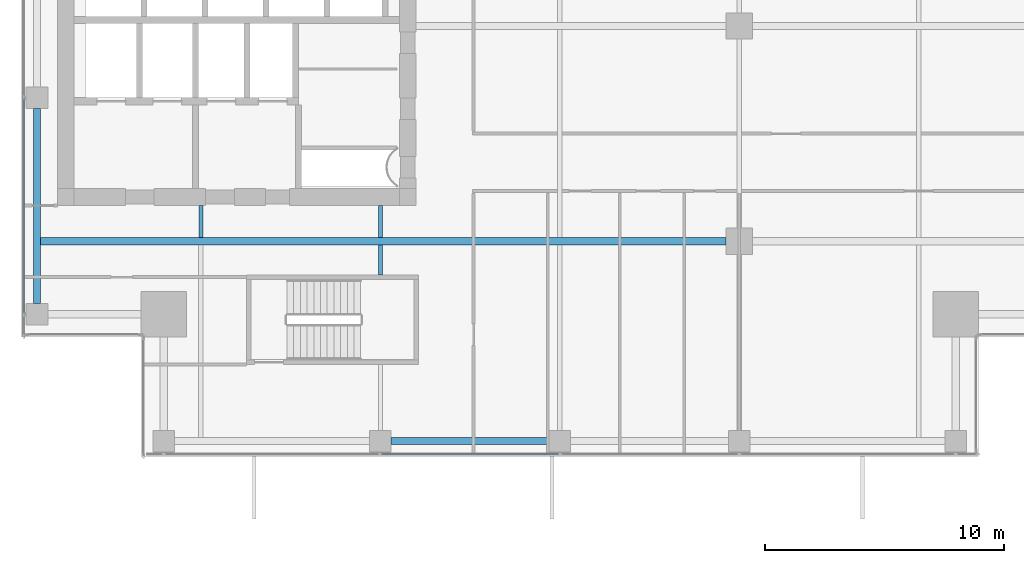
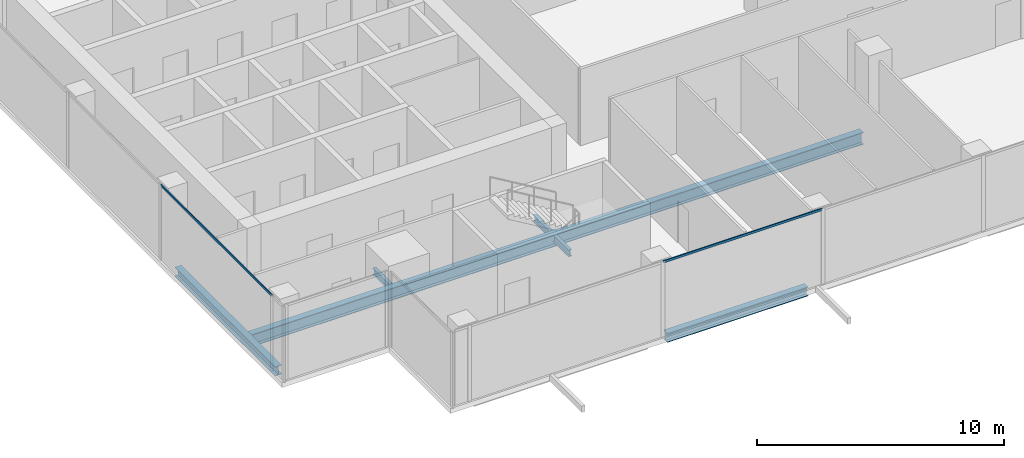
# One storey, part 4 of 34: 6 beams, 2 members, 2 elements without a shape of their own.
"""IFC4 building model written with IfcOpenShell, lengths in metres."""

from ifc_helpers import new_model, si_unit, direction, frame, origin, origin_2d, place, context, subcontext, project, spatial, hollow_rectangle, i_section, extrude, source, transform, mapped, material, material_profile, profile_set, type_object, element, aggregate, save


model = new_model("IFC4")

# Units and contexts
model_context = context("Model", 3, precision=1e-05, world=origin(), true_north=direction((0.0, 1.0)))
body_context = subcontext(model_context, "Body", "Model", "MODEL_VIEW")
ifc_project = project(units=[si_unit("LENGTHUNIT", "METRE"), si_unit("AREAUNIT", "SQUARE_METRE"), si_unit("VOLUMEUNIT", "CUBIC_METRE"), si_unit("PLANEANGLEUNIT", "RADIAN"), si_unit("MASSUNIT", "GRAM", prefix="KILO")], contexts=[model_context])

# Site, building, storey
site_placement = place(None, origin())
site = spatial("IfcSite", under=ifc_project, at=site_placement, CompositionType="ELEMENT")
building_placement = place(site_placement, origin())
building = spatial("IfcBuilding", under=site, at=building_placement, Name="Khomas Fold Tower", CompositionType="ELEMENT")
storey_placement = place(building_placement, frame((0.0, 0.0, 254.199951171875)))
storey = spatial("IfcBuildingStorey", under=building, at=storey_placement, Name="L57", CompositionType="ELEMENT", Elevation=254.199951171875)

# Beams
ifc_material_1 = material(Name="Steel S355", Category="steel")
ifc_material_profile_1 = material_profile(ifc_material_1, i_section(OverallWidth=0.159912109375, OverallDepth=0.330078125, WebThickness=0.007568359375, FlangeThickness=0.011474609375, at=origin_2d()), Name="IPE 330")
ifc_profile_set_1 = profile_set([ifc_material_profile_1], Name="Steel S355")
beam_type_1 = type_object("IfcBeamType", Name="IPE 330 beam JB1", PredefinedType="BEAM", material=ifc_profile_set_1)
shared_shape_1 = source(origin(), body_context, "Body", "SweptSolid", [
    extrude(i_section(OverallWidth=0.159912109375, OverallDepth=0.330078125, WebThickness=0.007568359375, FlangeThickness=0.011474609375, at=origin_2d()), origin(), (0.0, 0.0, 1.0), 1.25),
])
beam_1_placement = place(storey_placement, frame((19.5, 12.10009765625, -0.4150390625), z_axis=(0.0, 1.0, 0.0), x_axis=(-1.0, 0.0, 0.0)))
element("IfcBeam", 1, at=beam_1_placement, inside=storey, type_object=beam_type_1, Name="JB1", PredefinedType="BEAM", context=body_context, shape_type="MappedRepresentation", body=[
    mapped(shared_shape_1, transform((0.0, 0.0, 0.0))),
])
shared_shape_2 = source(origin(), body_context, "Body", "SweptSolid", [
    extrude(i_section(OverallWidth=0.159912109375, OverallDepth=0.330078125, WebThickness=0.007568359375, FlangeThickness=0.011474609375, at=origin_2d()), origin(), (0.0, 0.0, 1.0), 1.35009765625),
])
for number, where, z_axis, x_axis, name in (
    (2, (12.0, 13.64990234375, -0.4150390625), (0.0, 1.0, 0.0), (-1.0, 0.0, 0.0), "JB1"),
    (3, (19.5, 13.64990234375, -0.4150390625), (0.0, 1.0, 0.0), (-1.0, 0.0, 0.0), "JB1"),
):
    element("IfcBeam", number, at=place(storey_placement, frame(where, z_axis=z_axis, x_axis=x_axis)), inside=storey, type_object=beam_type_1, Name=name, PredefinedType="BEAM", context=body_context, shape_type="MappedRepresentation", body=[
        mapped(shared_shape_2, transform((0.0, 0.0, 0.0))),
    ])
ifc_material_2 = material(Name="Steel S355", Category="steel")
ifc_material_profile_2 = material_profile(ifc_material_2, i_section(OverallWidth=0.300048828125, OverallDepth=0.449951171875, WebThickness=0.013916015625, FlangeThickness=0.02587890625, at=origin_2d()), Name="HE 450 B")
ifc_profile_set_2 = profile_set([ifc_material_profile_2], Name="Steel S355")
beam_type_2 = type_object("IfcBeamType", Name="HE 450 B spandrel SB4", PredefinedType="SPANDREL", material=ifc_profile_set_2)
shared_shape_3 = source(origin(), body_context, "Body", "SweptSolid", [
    extrude(i_section(OverallWidth=0.300048828125, OverallDepth=0.449951171875, WebThickness=0.013916015625, FlangeThickness=0.02587890625, at=origin_2d()), origin(), (0.0, 0.0, 1.0), 8.150146484375),
])
beam_2_placement = place(storey_placement, frame((5.14990234375, 10.89990234375, -0.474853515625), z_axis=(0.0, 1.0, 0.0), x_axis=(-1.0, 0.0, 0.0)))
element("IfcBeam", 4, at=beam_2_placement, inside=storey, type_object=beam_type_2, Name="SB4", PredefinedType="SPANDREL", context=body_context, shape_type="MappedRepresentation", body=[
    mapped(shared_shape_3, transform((0.0, 0.0, 0.0))),
])
shared_shape_4 = source(origin(), body_context, "Body", "SweptSolid", [
    extrude(i_section(OverallWidth=0.300048828125, OverallDepth=0.449951171875, WebThickness=0.013916015625, FlangeThickness=0.02587890625, at=origin_2d()), origin(), (0.0, 0.0, 1.0), 6.60009765625),
])
beam_3_placement = place(storey_placement, frame((19.949951171875, 5.14990234375, -0.474853515625), z_axis=(1.0, 0.0, 0.0), x_axis=(0.0, 1.0, 0.0)))
element("IfcBeam", 5, at=beam_3_placement, inside=storey, type_object=beam_type_2, Name="SB4", PredefinedType="SPANDREL", context=body_context, shape_type="MappedRepresentation", body=[
    mapped(shared_shape_4, transform((0.0, 0.0, 0.0))),
])
ifc_material_3 = material(Name="Steel S355", Category="steel")
ifc_material_profile_3 = material_profile(ifc_material_3, i_section(OverallWidth=0.300048828125, OverallDepth=0.60009765625, WebThickness=0.015380859375, FlangeThickness=0.030029296875, at=origin_2d()), Name="HE 600 B")
ifc_profile_set_3 = profile_set([ifc_material_profile_3], Name="Steel S355")
beam_type_3 = type_object("IfcBeamType", Name="HE 600 B beam GB5", PredefinedType="BEAM", material=ifc_profile_set_3)
shared_shape_5 = source(origin(), body_context, "Body", "SweptSolid", [
    extrude(i_section(OverallWidth=0.300048828125, OverallDepth=0.60009765625, WebThickness=0.015380859375, FlangeThickness=0.030029296875, at=origin_2d()), origin(), (0.0, 0.0, 1.0), 28.64990234375),
])
beam_4_placement = place(storey_placement, frame((5.300048828125, 13.5, -0.550048828125), z_axis=(1.0, 0.0, 0.0), x_axis=(0.0, 1.0, 0.0)))
element("IfcBeam", 6, at=beam_4_placement, inside=storey, type_object=beam_type_3, Name="GB5", PredefinedType="BEAM", context=body_context, shape_type="MappedRepresentation", body=[
    mapped(shared_shape_5, transform((0.0, 0.0, 0.0))),
])

# Curtain wall, member
ifc_material_4 = material(Name="Aluminium framed double glazing", Category="aluminium")
curtain_wall_type = type_object("IfcCurtainWallType", Name="SK-Unitised clear-glass wall, office floors CW2", PredefinedType="NOTDEFINED", material=ifc_material_4)
curtain_wall_1_placement = place(storey_placement, origin())
curtain_wall_1 = element("IfcCurtainWall", 7, at=curtain_wall_1_placement, inside=storey, type_object=curtain_wall_type, Name="CW2 run L57 00-0", PredefinedType="NOTDEFINED")
ifc_material_5 = material(Name="Aluminium", Category="aluminium")
ifc_material_profile_4 = material_profile(ifc_material_5, hollow_rectangle(XDim=0.050048828125, YDim=0.110107421875, WallThickness=0.00390625, at=origin_2d()), Name="SK-Unitised clear-glass wall, office floors transom CW2-T")
ifc_profile_set_4 = profile_set([ifc_material_profile_4], Name="Aluminium")
member_type = type_object("IfcMemberType", Name="SK-Unitised clear-glass wall, office floors transom CW2-T", PredefinedType="USERDEFINED", material=ifc_profile_set_4)
shared_shape_6 = source(origin(), body_context, "Body", "SweptSolid", [
    extrude(hollow_rectangle(XDim=0.050048828125, YDim=0.110107421875, WallThickness=0.00390625, at=origin_2d()), origin(), (0.0, 0.0, 1.0), 7.43994140625),
])
member_1_placement = place(storey_placement, frame((19.530029296875, 4.60009765625, 3.695068359375), z_axis=(1.0, 0.0, 0.0), x_axis=(0.0, 1.0, 0.0)))
member_1 = element("IfcMember", 8, at=member_1_placement, type_object=member_type, Name="CW2 transom 3", ObjectType="TRANSOM", PredefinedType="USERDEFINED", context=body_context, shape_type="MappedRepresentation", body=[
    mapped(shared_shape_6, transform((0.0, 0.0, 0.0))),
])
aggregate(curtain_wall_1, [member_1])

curtain_wall_2_placement = place(storey_placement, origin())
curtain_wall_2 = element("IfcCurtainWall", 9, at=curtain_wall_2_placement, inside=storey, type_object=curtain_wall_type, Name="CW2 run L57 09-0", PredefinedType="NOTDEFINED")
shared_shape_7 = source(origin(), body_context, "Body", "SweptSolid", [
    extrude(hollow_rectangle(XDim=0.050048828125, YDim=0.110107421875, WallThickness=0.00390625, at=origin_2d()), origin(), (0.0, 0.0, 1.0), 8.989990234375),
])
member_2_placement = place(storey_placement, frame((4.60009765625, 19.469970703125, 3.695068359375), z_axis=(0.0, -1.0, 0.0), x_axis=(1.0, 0.0, 0.0)))
member_2 = element("IfcMember", 10, at=member_2_placement, type_object=member_type, Name="CW2 transom 5", ObjectType="TRANSOM", PredefinedType="USERDEFINED", context=body_context, shape_type="MappedRepresentation", body=[
    mapped(shared_shape_7, transform((0.0, 0.0, 0.0))),
])
aggregate(curtain_wall_2, [member_2])

save(model, "model.ifc")
